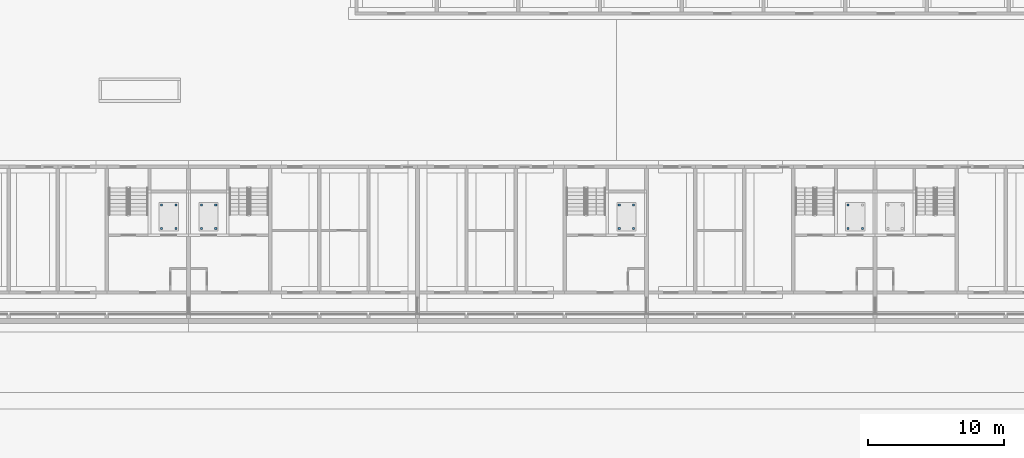
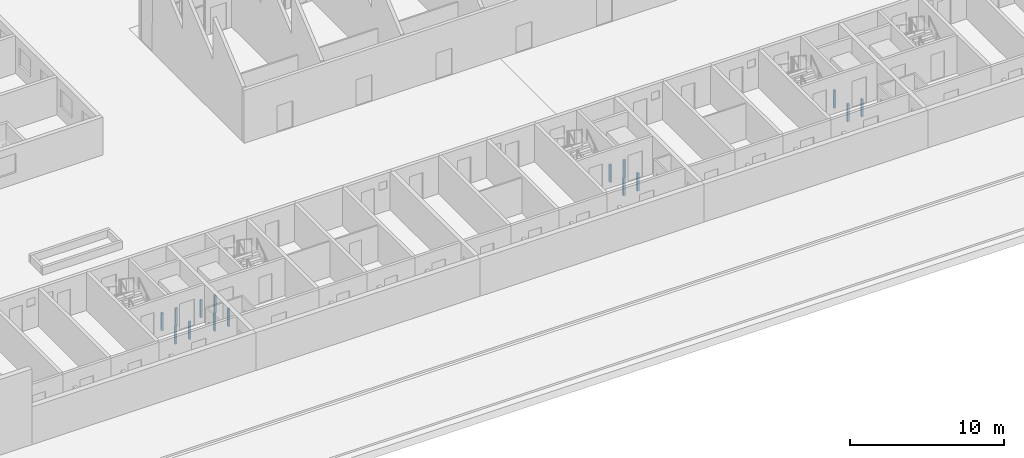
# One storey, part 79 of 112: 15 discrete accessories.
"""IFC4 building model written with IfcOpenShell, lengths in metres."""

from ifc_helpers import new_model, si_unit, direction, frame, origin, origin_2d, place, context, subcontext, project, spatial, rectangle, extrude, material, type_object, element, save


model = new_model("IFC4")

# Units and contexts
model_context = context("Model", 3, precision=1e-05, world=origin(), true_north=direction((0.0, 1.0)))
body_context = subcontext(model_context, "Body", "Model", "MODEL_VIEW")
ifc_project = project(units=[si_unit("LENGTHUNIT", "METRE"), si_unit("AREAUNIT", "SQUARE_METRE"), si_unit("VOLUMEUNIT", "CUBIC_METRE"), si_unit("PLANEANGLEUNIT", "RADIAN"), si_unit("MASSUNIT", "GRAM", prefix="KILO")], contexts=[model_context])

# Site, building, storey
site_placement = place(None, origin())
site = spatial("IfcSite", under=ifc_project, at=site_placement, CompositionType="ELEMENT")
building_placement = place(site_placement, origin())
building = spatial("IfcBuilding", under=site, at=building_placement, Name="Ridgestep Commons", CompositionType="ELEMENT")
storey_placement = place(building_placement, origin())
storey = spatial("IfcBuildingStorey", under=building, at=storey_placement, Name="L00", CompositionType="ELEMENT", Elevation=0.0)

# Discrete accessories
ifc_material = material(Name="Structural steel S355JR", Category="steel")
discrete_accessory_type = type_object("IfcDiscreteAccessoryType", Name="Lift buffer stand 150 x 150", PredefinedType="BRACKET", material=ifc_material)
for number, where, z_axis, x_axis, name in (
    (1, (161.612548828125, 18.324951171875, -1.39990234375), (0.0, 0.0, 1.0), (1.0, 0.0, 0.0), "Lift buffer stand D1C 1"),
    (2, (162.66259765625, 18.324951171875, -1.39990234375), (0.0, 0.0, 1.0), (1.0, 0.0, 0.0), "Lift buffer stand D1C 2"),
    (3, (161.612548828125, 20.074951171875, -1.39990234375), (0.0, 0.0, 1.0), (1.0, 0.0, 0.0), "Lift buffer stand D1C 3"),
    (4, (162.66259765625, 20.074951171875, -1.39990234375), (0.0, 0.0, 1.0), (1.0, 0.0, 0.0), "Lift buffer stand D1C 4"),
    (5, (164.53759765625, 18.324951171875, -1.39990234375), (0.0, 0.0, 1.0), (1.0, 0.0, 0.0), "Lift buffer stand D2C 1"),
    (6, (165.58740234375, 18.324951171875, -1.39990234375), (0.0, 0.0, 1.0), (1.0, 0.0, 0.0), "Lift buffer stand D2C 2"),
    (7, (164.53759765625, 20.074951171875, -1.39990234375), (0.0, 0.0, 1.0), (1.0, 0.0, 0.0), "Lift buffer stand D2C 3"),
    (8, (165.58740234375, 20.074951171875, -1.39990234375), (0.0, 0.0, 1.0), (1.0, 0.0, 0.0), "Lift buffer stand D2C 4"),
    (9, (195.21240234375, 18.324951171875, -1.39990234375), (0.0, 0.0, 1.0), (1.0, 0.0, 0.0), "Lift buffer stand D3C 1"),
    (10, (196.262451171875, 18.324951171875, -1.39990234375), (0.0, 0.0, 1.0), (1.0, 0.0, 0.0), "Lift buffer stand D3C 2"),
    (11, (195.21240234375, 20.074951171875, -1.39990234375), (0.0, 0.0, 1.0), (1.0, 0.0, 0.0), "Lift buffer stand D3C 3"),
    (12, (196.262451171875, 20.074951171875, -1.39990234375), (0.0, 0.0, 1.0), (1.0, 0.0, 0.0), "Lift buffer stand D3C 4"),
    (13, (212.012451171875, 18.324951171875, -1.39990234375), (0.0, 0.0, 1.0), (1.0, 0.0, 0.0), "Lift buffer stand D4C 1"),
    (14, (213.0625, 18.324951171875, -1.39990234375), (0.0, 0.0, 1.0), (1.0, 0.0, 0.0), "Lift buffer stand D4C 2"),
    (15, (212.012451171875, 20.074951171875, -1.39990234375), (0.0, 0.0, 1.0), (1.0, 0.0, 0.0), "Lift buffer stand D4C 3"),
):
    element("IfcDiscreteAccessory", number, at=place(storey_placement, frame(where, z_axis=z_axis, x_axis=x_axis)), inside=storey, type_object=discrete_accessory_type, Name=name, PredefinedType="BRACKET", context=body_context, shape_type="SweptSolid", body=[
        extrude(rectangle(XDim=0.14990234375, YDim=0.14990234375, at=origin_2d()), origin(), (0.0, 0.0, 1.0), 1.39990234375),
    ])

save(model, "model.ifc")
